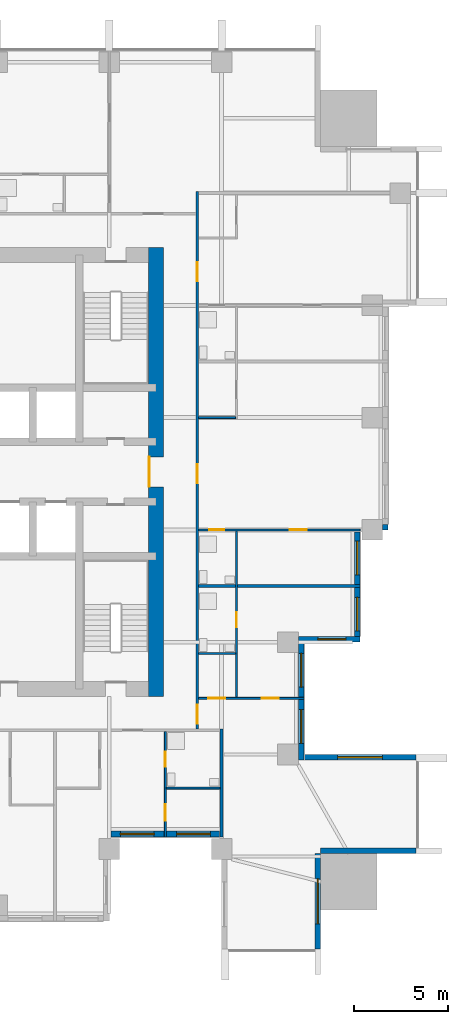
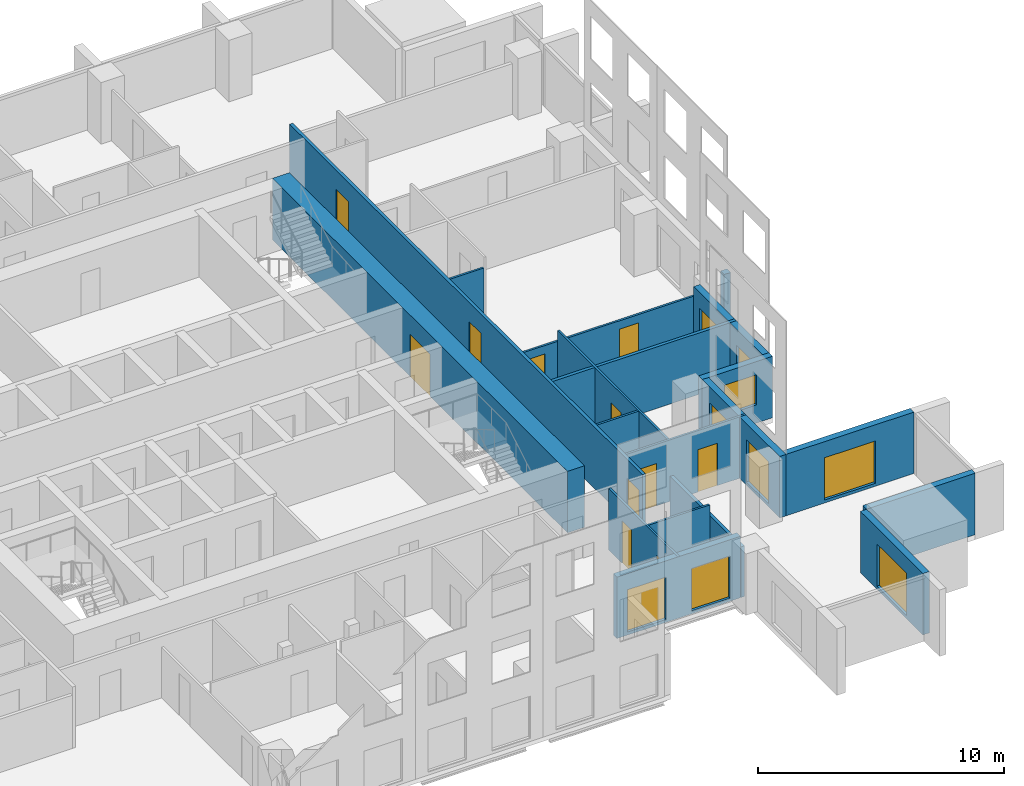
# One storey, part 6 of 11: 19 walls, 11 doors, 9 windows, 20 openings.
"""IFC4 building model written with IfcOpenShell, lengths in metres."""

from ifc_helpers import new_model, si_unit, direction, frame, frame_2d, origin, place, context, subcontext, project, spatial, rectangle, extrude, material, layer, layer_set, type_object, element, fill, save


model = new_model("IFC4")

# Units and contexts
model_context = context("Model", 3, precision=1e-05, world=origin(), true_north=direction((0.0, 1.0)))
body_context = subcontext(model_context, "Body", "Model", "MODEL_VIEW")
ifc_project = project(units=[si_unit("LENGTHUNIT", "METRE"), si_unit("AREAUNIT", "SQUARE_METRE"), si_unit("VOLUMEUNIT", "CUBIC_METRE"), si_unit("PLANEANGLEUNIT", "RADIAN"), si_unit("MASSUNIT", "GRAM", prefix="KILO")], contexts=[model_context])

# Site, building, storey
site_placement = place(None, origin())
site = spatial("IfcSite", under=ifc_project, at=site_placement, CompositionType="ELEMENT")
building_placement = place(site_placement, origin())
building = spatial("IfcBuilding", under=site, at=building_placement, Name="Amberfall Residences", CompositionType="ELEMENT")
storey_placement = place(building_placement, frame((0.0, 0.0, 98.5)))
storey = spatial("IfcBuildingStorey", under=building, at=storey_placement, Name="L26", CompositionType="ELEMENT", Elevation=98.5)

# Wall, opening, window
ifc_material_1 = material(Name="Pale stone cladding on insulated backing", Category="masonry")
ifc_layer_1 = layer(ifc_material_1, 0.300048828125)
ifc_layer_set_1 = layer_set([ifc_layer_1], Name="Bronze clad wall 300")
wall_type_1 = type_object("IfcWallType", Name="Bronze clad wall 300", PredefinedType="SOLIDWALL", material=ifc_layer_set_1)
wall_1_placement = place(storey_placement, frame((94.75, 20.0, 0.0), z_axis=(0.0, 0.0, 1.0), x_axis=(0.0, 1.0, 0.0)))
wall_1 = element("IfcWall", 1, at=wall_1_placement, inside=storey, type_object=wall_type_1, Name="External wall L26 SE", PredefinedType="SOLIDWALL", context=body_context, shape_type="SweptSolid", body=[
    extrude(rectangle(XDim=5.10009765625, YDim=0.300048828125, at=frame_2d((2.550048828125, 0.0))), origin(), (0.0, 0.0, 1.0), 3.050048828125),
])
opening_1_placement = place(wall_1_placement, frame((1.35009765625, 0.0, 0.14990234375)))
opening_1 = element("IfcOpeningElement", 2, at=opening_1_placement, cuts=wall_1, Name="Opening WN5", PredefinedType="OPENING", context=body_context, shape_type="SweptSolid", body=[
    extrude(rectangle(XDim=2.39990234375, YDim=2.10009765625, at=frame_2d((1.199951171875, 1.050048828125))), frame((0.0, 0.159912109375, 0.0), z_axis=(0.0, -1.0, 0.0), x_axis=(1.0, 0.0, 0.0)), (0.0, 0.0, 1.0), 0.320068359375),
])
ifc_material_2 = material(Name="Bronze aluminium framed glazing", Category="aluminium")
window_type_1 = type_object("IfcWindowType", Name="Glazed opening 2400 x 2100 bronze", PartitioningType="DOUBLE_PANEL_VERTICAL", PredefinedType="WINDOW", material=ifc_material_2)
window_1_placement = place(opening_1_placement, origin())
window_1 = element("IfcWindow", 3, at=window_1_placement, inside=storey, type_object=window_type_1, Name="Window L26 SE", OverallHeight=2.10009765625, OverallWidth=2.39990234375, PartitioningType="DOUBLE_PANEL_VERTICAL", PredefinedType="WINDOW", context=body_context, shape_type="SweptSolid", body=[
    extrude(rectangle(XDim=2.39990234375, YDim=2.10009765625, at=frame_2d((1.199951171875, 1.050048828125))), frame((0.0, 0.030029296875, 0.0), z_axis=(0.0, -1.0, 0.0), x_axis=(1.0, 0.0, 0.0)), (0.0, 0.0, 1.0), 0.06005859375),
])
fill(opening_1, window_1)

# Wall
wall_2_placement = place(storey_placement, frame((94.89990234375, 25.25, 0.0), z_axis=(0.0, 0.0, 1.0), x_axis=(1.0, 0.0, 0.0)))
element("IfcWall", 4, at=wall_2_placement, inside=storey, type_object=wall_type_1, Name="External wall L26 SE", PredefinedType="SOLIDWALL", context=body_context, shape_type="SweptSolid", body=[
    extrude(rectangle(XDim=5.10009765625, YDim=0.300048828125, at=frame_2d((2.550048828125, 0.0))), origin(), (0.0, 0.0, 1.0), 3.050048828125),
])

# Wall, opening, window
wall_3_placement = place(storey_placement, frame((100.0, 30.25, 0.0), z_axis=(0.0, 0.0, 1.0), x_axis=(-1.0, 0.0, 0.0)))
wall_3 = element("IfcWall", 5, at=wall_3_placement, inside=storey, type_object=wall_type_1, Name="External wall L26 E", PredefinedType="SOLIDWALL", context=body_context, shape_type="SweptSolid", body=[
    extrude(rectangle(XDim=6.0, YDim=0.300048828125, at=frame_2d((3.0, 0.0))), origin(), (0.0, 0.0, 1.0), 3.050048828125),
])
opening_2_placement = place(wall_3_placement, frame((1.800048828125, 0.0, 0.14990234375)))
opening_2 = element("IfcOpeningElement", 6, at=opening_2_placement, cuts=wall_3, Name="Opening WN5", PredefinedType="OPENING", context=body_context, shape_type="SweptSolid", body=[
    extrude(rectangle(XDim=2.39990234375, YDim=2.10009765625, at=frame_2d((1.199951171875, 1.050048828125))), frame((0.0, 0.159912109375, 0.0), z_axis=(0.0, -1.0, 0.0), x_axis=(1.0, 0.0, 0.0)), (0.0, 0.0, 1.0), 0.320068359375),
])
window_2_placement = place(opening_2_placement, origin())
window_2 = element("IfcWindow", 7, at=window_2_placement, inside=storey, type_object=window_type_1, Name="Window L26 E", OverallHeight=2.10009765625, OverallWidth=2.39990234375, PartitioningType="DOUBLE_PANEL_VERTICAL", PredefinedType="WINDOW", context=body_context, shape_type="SweptSolid", body=[
    extrude(rectangle(XDim=2.39990234375, YDim=2.10009765625, at=frame_2d((1.199951171875, 1.050048828125))), frame((0.0, 0.030029296875, 0.0), z_axis=(0.0, -1.0, 0.0), x_axis=(1.0, 0.0, 0.0)), (0.0, 0.0, 1.0), 0.06005859375),
])
fill(opening_2, window_2)

wall_4_placement = place(storey_placement, frame((93.699951171875, 36.550048828125, 0.0), z_axis=(0.0, 0.0, 1.0), x_axis=(1.0, 0.0, 0.0)))
wall_4 = element("IfcWall", 8, at=wall_4_placement, inside=storey, type_object=wall_type_1, Name="External wall L26 E", PredefinedType="SOLIDWALL", context=body_context, shape_type="SweptSolid", body=[
    extrude(rectangle(XDim=3.300048828125, YDim=0.300048828125, at=frame_2d((1.64990234375, 0.0))), origin(), (0.0, 0.0, 1.0), 3.050048828125),
])
opening_3_placement = place(wall_4_placement, frame((1.050048828125, 0.0, 0.89990234375)))
opening_3 = element("IfcOpeningElement", 9, at=opening_3_placement, cuts=wall_4, Name="Opening WN1", PredefinedType="OPENING", context=body_context, shape_type="SweptSolid", body=[
    extrude(rectangle(XDim=1.5, YDim=1.5, at=frame_2d((0.75, 0.75))), frame((0.0, 0.159912109375, 0.0), z_axis=(0.0, -1.0, 0.0), x_axis=(1.0, 0.0, 0.0)), (0.0, 0.0, 1.0), 0.320068359375),
])
window_type_2 = type_object("IfcWindowType", Name="Window 1500 x 1500 bronze", PartitioningType="DOUBLE_PANEL_VERTICAL", PredefinedType="WINDOW", material=ifc_material_2)
window_3_placement = place(opening_3_placement, origin())
window_3 = element("IfcWindow", 10, at=window_3_placement, inside=storey, type_object=window_type_2, Name="Window L26 E", OverallHeight=1.5, OverallWidth=1.5, PartitioningType="DOUBLE_PANEL_VERTICAL", PredefinedType="WINDOW", context=body_context, shape_type="SweptSolid", body=[
    extrude(rectangle(XDim=1.5, YDim=1.5, at=frame_2d((0.75, 0.75))), frame((0.0, 0.030029296875, 0.0), z_axis=(0.0, -1.0, 0.0), x_axis=(1.0, 0.0, 0.0)), (0.0, 0.0, 1.0), 0.06005859375),
])
fill(opening_3, window_3)

# Wall
wall_5_placement = place(storey_placement, frame((98.199951171875, 42.550048828125, 0.0), z_axis=(0.0, 0.0, 1.0), x_axis=(1.0, 0.0, 0.0)))
element("IfcWall", 11, at=wall_5_placement, inside=storey, type_object=wall_type_1, Name="External wall L26 E", PredefinedType="SOLIDWALL", context=body_context, shape_type="SweptSolid", body=[
    extrude(rectangle(XDim=0.300048828125, YDim=0.300048828125, at=frame_2d((0.14990234375, 0.0))), origin(), (0.0, 0.0, 1.0), 3.050048828125),
])

# Wall, openings, windows
wall_6_placement = place(storey_placement, frame((83.699951171875, 26.14990234375, 0.0), z_axis=(0.0, 0.0, 1.0), x_axis=(1.0, 0.0, 0.0)))
wall_6 = element("IfcWall", 12, at=wall_6_placement, inside=storey, type_object=wall_type_1, Name="Stone wall L26 S", PredefinedType="SOLIDWALL", context=body_context, shape_type="SweptSolid", body=[
    extrude(rectangle(XDim=5.7900390625, YDim=0.300048828125, at=frame_2d((2.89501953125, 0.0))), origin(), (0.0, 0.0, 1.0), 3.050048828125),
])
opening_4_placement = place(wall_6_placement, frame((0.5, 0.0, 0.14990234375)))
opening_4 = element("IfcOpeningElement", 13, at=opening_4_placement, cuts=wall_6, Name="Opening WN6", PredefinedType="OPENING", context=body_context, shape_type="SweptSolid", body=[
    extrude(rectangle(XDim=1.800048828125, YDim=2.10009765625, at=frame_2d((0.89990234375, 1.050048828125))), frame((0.0, 0.159912109375, 0.0), z_axis=(0.0, -1.0, 0.0), x_axis=(1.0, 0.0, 0.0)), (0.0, 0.0, 1.0), 0.320068359375),
])
opening_5_placement = place(wall_6_placement, frame((3.5, 0.0, 0.14990234375)))
opening_5 = element("IfcOpeningElement", 14, at=opening_5_placement, cuts=wall_6, Name="Opening WN6", PredefinedType="OPENING", context=body_context, shape_type="SweptSolid", body=[
    extrude(rectangle(XDim=1.800048828125, YDim=2.10009765625, at=frame_2d((0.89990234375, 1.050048828125))), frame((0.0, 0.159912109375, 0.0), z_axis=(0.0, -1.0, 0.0), x_axis=(1.0, 0.0, 0.0)), (0.0, 0.0, 1.0), 0.320068359375),
])
window_type_3 = type_object("IfcWindowType", Name="Glazed opening 1800 x 2100 bronze", PartitioningType="DOUBLE_PANEL_VERTICAL", PredefinedType="WINDOW", material=ifc_material_2)
window_4_placement = place(opening_4_placement, origin())
window_4 = element("IfcWindow", 15, at=window_4_placement, inside=storey, type_object=window_type_3, Name="Window L26 S", OverallHeight=2.10009765625, OverallWidth=1.800048828125, PartitioningType="DOUBLE_PANEL_VERTICAL", PredefinedType="WINDOW", context=body_context, shape_type="SweptSolid", body=[
    extrude(rectangle(XDim=1.800048828125, YDim=2.10009765625, at=frame_2d((0.89990234375, 1.050048828125))), frame((0.0, 0.030029296875, 0.0), z_axis=(0.0, -1.0, 0.0), x_axis=(1.0, 0.0, 0.0)), (0.0, 0.0, 1.0), 0.06005859375),
])
fill(opening_4, window_4)
window_5_placement = place(opening_5_placement, origin())
window_5 = element("IfcWindow", 16, at=window_5_placement, inside=storey, type_object=window_type_3, Name="Window L26 S", OverallHeight=2.10009765625, OverallWidth=1.800048828125, PartitioningType="DOUBLE_PANEL_VERTICAL", PredefinedType="WINDOW", context=body_context, shape_type="SweptSolid", body=[
    extrude(rectangle(XDim=1.800048828125, YDim=2.10009765625, at=frame_2d((0.89990234375, 1.050048828125))), frame((0.0, 0.030029296875, 0.0), z_axis=(0.0, -1.0, 0.0), x_axis=(1.0, 0.0, 0.0)), (0.0, 0.0, 1.0), 0.06005859375),
])
fill(opening_5, window_5)

wall_7_placement = place(storey_placement, frame((93.85009765625, 30.10009765625, 0.0), z_axis=(0.0, 0.0, 1.0), x_axis=(0.0, 1.0, 0.0)))
wall_7 = element("IfcWall", 17, at=wall_7_placement, inside=storey, type_object=wall_type_1, Name="Stone wall L26 E", PredefinedType="SOLIDWALL", context=body_context, shape_type="SweptSolid", body=[
    extrude(rectangle(XDim=6.2998046875, YDim=0.300048828125, at=frame_2d((3.14990234375, 0.0))), origin(), (0.0, 0.0, 1.0), 3.050048828125),
])
opening_6_placement = place(wall_7_placement, frame((0.89990234375, 0.0, 0.14990234375)))
opening_6 = element("IfcOpeningElement", 18, at=opening_6_placement, cuts=wall_7, Name="Opening WN6", PredefinedType="OPENING", context=body_context, shape_type="SweptSolid", body=[
    extrude(rectangle(XDim=1.800048828125, YDim=2.10009765625, at=frame_2d((0.89990234375, 1.050048828125))), frame((0.0, 0.159912109375, 0.0), z_axis=(0.0, -1.0, 0.0), x_axis=(1.0, 0.0, 0.0)), (0.0, 0.0, 1.0), 0.320068359375),
])
opening_7_placement = place(wall_7_placement, frame((3.89990234375, 0.0, 0.14990234375)))
opening_7 = element("IfcOpeningElement", 19, at=opening_7_placement, cuts=wall_7, Name="Opening WN6", PredefinedType="OPENING", context=body_context, shape_type="SweptSolid", body=[
    extrude(rectangle(XDim=1.800048828125, YDim=2.10009765625, at=frame_2d((0.89990234375, 1.050048828125))), frame((0.0, 0.159912109375, 0.0), z_axis=(0.0, -1.0, 0.0), x_axis=(1.0, 0.0, 0.0)), (0.0, 0.0, 1.0), 0.320068359375),
])
window_6_placement = place(opening_6_placement, origin())
window_6 = element("IfcWindow", 20, at=window_6_placement, inside=storey, type_object=window_type_3, Name="Window L26 E", OverallHeight=2.10009765625, OverallWidth=1.800048828125, PartitioningType="DOUBLE_PANEL_VERTICAL", PredefinedType="WINDOW", context=body_context, shape_type="SweptSolid", body=[
    extrude(rectangle(XDim=1.800048828125, YDim=2.10009765625, at=frame_2d((0.89990234375, 1.050048828125))), frame((0.0, 0.030029296875, 0.0), z_axis=(0.0, -1.0, 0.0), x_axis=(1.0, 0.0, 0.0)), (0.0, 0.0, 1.0), 0.06005859375),
])
fill(opening_6, window_6)
window_7_placement = place(opening_7_placement, origin())
window_7 = element("IfcWindow", 21, at=window_7_placement, inside=storey, type_object=window_type_3, Name="Window L26 E", OverallHeight=2.10009765625, OverallWidth=1.800048828125, PartitioningType="DOUBLE_PANEL_VERTICAL", PredefinedType="WINDOW", context=body_context, shape_type="SweptSolid", body=[
    extrude(rectangle(XDim=1.800048828125, YDim=2.10009765625, at=frame_2d((0.89990234375, 1.050048828125))), frame((0.0, 0.030029296875, 0.0), z_axis=(0.0, -1.0, 0.0), x_axis=(1.0, 0.0, 0.0)), (0.0, 0.0, 1.0), 0.06005859375),
])
fill(opening_7, window_7)

wall_8_placement = place(storey_placement, frame((96.85009765625, 36.699951171875, 0.0), z_axis=(0.0, 0.0, 1.0), x_axis=(0.0, 1.0, 0.0)))
wall_8 = element("IfcWall", 22, at=wall_8_placement, inside=storey, type_object=wall_type_1, Name="Stone wall L26 E", PredefinedType="SOLIDWALL", context=body_context, shape_type="SweptSolid", body=[
    extrude(rectangle(XDim=5.590087890625, YDim=0.300048828125, at=frame_2d((2.794921875, 0.0))), origin(), (0.0, 0.0, 1.0), 3.050048828125),
])
opening_8_placement = place(wall_8_placement, frame((0.300048828125, 0.0, 0.14990234375)))
opening_8 = element("IfcOpeningElement", 23, at=opening_8_placement, cuts=wall_8, Name="Opening WN6", PredefinedType="OPENING", context=body_context, shape_type="SweptSolid", body=[
    extrude(rectangle(XDim=1.800048828125, YDim=2.10009765625, at=frame_2d((0.89990234375, 1.050048828125))), frame((0.0, 0.159912109375, 0.0), z_axis=(0.0, -1.0, 0.0), x_axis=(1.0, 0.0, 0.0)), (0.0, 0.0, 1.0), 0.320068359375),
])
opening_9_placement = place(wall_8_placement, frame((3.300048828125, 0.0, 0.14990234375)))
opening_9 = element("IfcOpeningElement", 24, at=opening_9_placement, cuts=wall_8, Name="Opening WN6", PredefinedType="OPENING", context=body_context, shape_type="SweptSolid", body=[
    extrude(rectangle(XDim=1.800048828125, YDim=2.10009765625, at=frame_2d((0.89990234375, 1.050048828125))), frame((0.0, 0.159912109375, 0.0), z_axis=(0.0, -1.0, 0.0), x_axis=(1.0, 0.0, 0.0)), (0.0, 0.0, 1.0), 0.320068359375),
])
window_8_placement = place(opening_8_placement, origin())
window_8 = element("IfcWindow", 25, at=window_8_placement, inside=storey, type_object=window_type_3, Name="Window L26 E", OverallHeight=2.10009765625, OverallWidth=1.800048828125, PartitioningType="DOUBLE_PANEL_VERTICAL", PredefinedType="WINDOW", context=body_context, shape_type="SweptSolid", body=[
    extrude(rectangle(XDim=1.800048828125, YDim=2.10009765625, at=frame_2d((0.89990234375, 1.050048828125))), frame((0.0, 0.030029296875, 0.0), z_axis=(0.0, -1.0, 0.0), x_axis=(1.0, 0.0, 0.0)), (0.0, 0.0, 1.0), 0.06005859375),
])
fill(opening_8, window_8)
window_9_placement = place(opening_9_placement, origin())
window_9 = element("IfcWindow", 26, at=window_9_placement, inside=storey, type_object=window_type_3, Name="Window L26 E", OverallHeight=2.10009765625, OverallWidth=1.800048828125, PartitioningType="DOUBLE_PANEL_VERTICAL", PredefinedType="WINDOW", context=body_context, shape_type="SweptSolid", body=[
    extrude(rectangle(XDim=1.800048828125, YDim=2.10009765625, at=frame_2d((0.89990234375, 1.050048828125))), frame((0.0, 0.030029296875, 0.0), z_axis=(0.0, -1.0, 0.0), x_axis=(1.0, 0.0, 0.0)), (0.0, 0.0, 1.0), 0.06005859375),
])
fill(opening_9, window_9)

# Wall, opening, door
ifc_material_3 = material(Name="Concrete C70", Category="concrete")
ifc_layer_2 = layer(ifc_material_3, 0.800048828125)
ifc_layer_set_2 = layer_set([ifc_layer_2], Name="Core wall 800 C70")
wall_type_2 = type_object("IfcWallType", Name="Core wall 800 C70", PredefinedType="SHEAR", material=ifc_layer_set_2)
wall_9_placement = place(storey_placement, frame((86.10009765625, 33.5, 0.0), z_axis=(0.0, 0.0, 1.0), x_axis=(0.0, 1.0, 0.0)))
wall_9 = element("IfcWall", 27, at=wall_9_placement, inside=storey, type_object=wall_type_2, Name="Core wall RW3 L26 OE", PredefinedType="SHEAR", context=body_context, shape_type="SweptSolid", body=[
    extrude(rectangle(XDim=24.0, YDim=0.800048828125, at=frame_2d((12.0, 0.0))), origin(), (0.0, 0.0, 1.0), 3.050048828125),
])
opening_10_placement = place(wall_9_placement, frame((11.199951171875, 0.0, 0.0)))
opening_10 = element("IfcOpeningElement", 28, at=opening_10_placement, cuts=wall_9, Name="Opening LB1", PredefinedType="OPENING", context=body_context, shape_type="SweptSolid", body=[
    extrude(rectangle(XDim=1.60009765625, YDim=2.10009765625, at=frame_2d((0.800048828125, 1.050048828125))), frame((0.0, 0.409912109375, 0.0), z_axis=(0.0, -1.0, 0.0), x_axis=(1.0, 0.0, 0.0)), (0.0, 0.0, 1.0), 0.820068359375),
])
ifc_material_4 = material(Name="Steel fire door set", Category="steel")
door_type_1 = type_object("IfcDoorType", Name="Lift lobby double door 1600 x 2100", OperationType="DOUBLE_DOOR_SINGLE_SWING", PredefinedType="DOOR", material=ifc_material_4)
door_1_placement = place(opening_10_placement, origin())
door_1 = element("IfcDoor", 29, at=door_1_placement, inside=storey, type_object=door_type_1, Name="LB1 L26", OperationType="DOUBLE_DOOR_SINGLE_SWING", OverallHeight=2.10009765625, OverallWidth=1.60009765625, PredefinedType="DOOR", context=body_context, shape_type="SweptSolid", body=[
    extrude(rectangle(XDim=1.60009765625, YDim=2.10009765625, at=frame_2d((0.800048828125, 1.050048828125))), frame((0.0, 0.3876953125, 0.0), z_axis=(0.0, -1.0, 0.0), x_axis=(1.0, 0.0, 0.0)), (0.0, 0.0, 1.0), 0.050048828125),
])
fill(opening_10, door_1)

# Wall, openings, doors
ifc_material_5 = material(Name="Gypsum board on metal stud")
ifc_layer_3 = layer(ifc_material_5, 0.10009765625)
ifc_layer_set_3 = layer_set([ifc_layer_3], Name="Flat partition 100")
wall_type_3 = type_object("IfcWallType", Name="Flat partition 100", PredefinedType="PARTITIONING", material=ifc_layer_set_3)
wall_10_placement = place(storey_placement, frame((86.60009765625, 31.625, 0.0), z_axis=(0.0, 0.0, 1.0), x_axis=(0.0, -1.0, 0.0)))
wall_10 = element("IfcWall", 30, at=wall_10_placement, inside=storey, type_object=wall_type_3, Name="Partition 018", PredefinedType="PARTITIONING", context=body_context, shape_type="SweptSolid", body=[
    extrude(rectangle(XDim=5.625, YDim=0.10009765625, at=frame_2d((2.8125, 0.0))), origin(), (0.0, 0.0, 1.0), 3.050048828125),
])
opening_11_placement = place(wall_10_placement, frame((3.875, 0.0, 0.0)))
opening_11 = element("IfcOpeningElement", 31, at=opening_11_placement, cuts=wall_10, Name="Opening D41", PredefinedType="OPENING", context=body_context, shape_type="SweptSolid", body=[
    extrude(rectangle(XDim=0.89990234375, YDim=2.10009765625, at=frame_2d((0.449951171875, 1.050048828125))), frame((0.0, 0.06005859375, 0.0), z_axis=(0.0, -1.0, 0.0), x_axis=(1.0, 0.0, 0.0)), (0.0, 0.0, 1.0), 0.1201171875),
])
opening_12_placement = place(wall_10_placement, frame((1.074951171875, 0.0, 0.0)))
opening_12 = element("IfcOpeningElement", 32, at=opening_12_placement, cuts=wall_10, Name="Opening D42", PredefinedType="OPENING", context=body_context, shape_type="SweptSolid", body=[
    extrude(rectangle(XDim=0.800048828125, YDim=2.10009765625, at=frame_2d((0.39990234375, 1.050048828125))), frame((0.0, 0.06005859375, 0.0), z_axis=(0.0, -1.0, 0.0), x_axis=(1.0, 0.0, 0.0)), (0.0, 0.0, 1.0), 0.1201171875),
])
ifc_material_6 = material(Name="Timber", Category="wood")
door_type_2 = type_object("IfcDoorType", Name="Bathroom door 800 x 2100", OperationType="SINGLE_SWING_LEFT", PredefinedType="DOOR", material=ifc_material_6)
door_2_placement = place(opening_12_placement, origin())
door_2 = element("IfcDoor", 33, at=door_2_placement, inside=storey, type_object=door_type_2, Name="Door 2603 bath1", OperationType="SINGLE_SWING_LEFT", OverallHeight=2.10009765625, OverallWidth=0.800048828125, PredefinedType="DOOR", context=body_context, shape_type="SweptSolid", body=[
    extrude(rectangle(XDim=0.800048828125, YDim=2.10009765625, at=frame_2d((0.39990234375, 1.050048828125))), frame((0.0, 0.02490234375, 0.0), z_axis=(0.0, -1.0, 0.0), x_axis=(1.0, 0.0, 0.0)), (0.0, 0.0, 1.0), 0.050048828125),
])
fill(opening_12, door_2)
door_type_3 = type_object("IfcDoorType", Name="Internal door 900 x 2100", OperationType="SINGLE_SWING_LEFT", PredefinedType="DOOR", material=ifc_material_6)
door_3_placement = place(opening_11_placement, origin())
door_3 = element("IfcDoor", 34, at=door_3_placement, inside=storey, type_object=door_type_3, Name="Door 2603 bedroom1", OperationType="SINGLE_SWING_LEFT", OverallHeight=2.10009765625, OverallWidth=0.89990234375, PredefinedType="DOOR", context=body_context, shape_type="SweptSolid", body=[
    extrude(rectangle(XDim=0.89990234375, YDim=2.10009765625, at=frame_2d((0.449951171875, 1.050048828125))), frame((0.0, 0.02490234375, 0.0), z_axis=(0.0, -1.0, 0.0), x_axis=(1.0, 0.0, 0.0)), (0.0, 0.0, 1.0), 0.050048828125),
])
fill(opening_11, door_3)

# Wall, opening, door
wall_11_placement = place(storey_placement, frame((90.39990234375, 33.449951171875, 0.0), z_axis=(0.0, 0.0, 1.0), x_axis=(0.0, 1.0, 0.0)))
wall_11 = element("IfcWall", 35, at=wall_11_placement, inside=storey, type_object=wall_type_3, Name="Partition 019", PredefinedType="PARTITIONING", context=body_context, shape_type="SweptSolid", body=[
    extrude(rectangle(XDim=8.900146484375, YDim=0.10009765625, at=frame_2d((4.4501953125, 0.0))), origin(), (0.0, 0.0, 1.0), 3.050048828125),
])
opening_13_placement = place(wall_11_placement, frame((3.75, 0.0, 0.0)))
opening_13 = element("IfcOpeningElement", 36, at=opening_13_placement, cuts=wall_11, Name="Opening D42", PredefinedType="OPENING", context=body_context, shape_type="SweptSolid", body=[
    extrude(rectangle(XDim=0.800048828125, YDim=2.10009765625, at=frame_2d((0.39990234375, 1.050048828125))), frame((0.0, 0.06005859375, 0.0), z_axis=(0.0, -1.0, 0.0), x_axis=(1.0, 0.0, 0.0)), (0.0, 0.0, 1.0), 0.1201171875),
])
door_4_placement = place(opening_13_placement, origin())
door_4 = element("IfcDoor", 37, at=door_4_placement, inside=storey, type_object=door_type_2, Name="Door 2604 bath1", OperationType="SINGLE_SWING_LEFT", OverallHeight=2.10009765625, OverallWidth=0.800048828125, PredefinedType="DOOR", context=body_context, shape_type="SweptSolid", body=[
    extrude(rectangle(XDim=0.800048828125, YDim=2.10009765625, at=frame_2d((0.39990234375, 1.050048828125))), frame((0.0, 0.02490234375, 0.0), z_axis=(0.0, -1.0, 0.0), x_axis=(1.0, 0.0, 0.0)), (0.0, 0.0, 1.0), 0.050048828125),
])
fill(opening_13, door_4)

# Wall
wall_12_placement = place(storey_placement, frame((88.375, 48.39990234375, 0.0), z_axis=(0.0, 0.0, 1.0), x_axis=(1.0, 0.0, 0.0)))
element("IfcWall", 38, at=wall_12_placement, inside=storey, type_object=wall_type_3, Name="Partition 031", PredefinedType="PARTITIONING", context=body_context, shape_type="SweptSolid", body=[
    extrude(rectangle(XDim=1.97509765625, YDim=0.10009765625, at=frame_2d((0.987548828125, 0.0))), origin(), (0.0, 0.0, 1.0), 2.51611328125),
])

# Wall, openings, doors
wall_13_placement = place(storey_placement, frame((97.0, 42.39990234375, 0.0), z_axis=(0.0, 0.0, 1.0), x_axis=(-1.0, 0.0, 0.0)))
wall_13 = element("IfcWall", 39, at=wall_13_placement, inside=storey, type_object=wall_type_3, Name="Partition 034", PredefinedType="PARTITIONING", context=body_context, shape_type="SweptSolid", body=[
    extrude(rectangle(XDim=8.625, YDim=0.10009765625, at=frame_2d((4.3125, 0.0))), origin(), (0.0, 0.0, 1.0), 2.51611328125),
])
opening_14_placement = place(wall_13_placement, frame((2.85009765625, 0.0, 0.0)))
opening_14 = element("IfcOpeningElement", 40, at=opening_14_placement, cuts=wall_13, Name="Opening D41", PredefinedType="OPENING", context=body_context, shape_type="SweptSolid", body=[
    extrude(rectangle(XDim=0.89990234375, YDim=2.10009765625, at=frame_2d((0.449951171875, 1.050048828125))), frame((0.0, 0.06005859375, 0.0), z_axis=(0.0, -1.0, 0.0), x_axis=(1.0, 0.0, 0.0)), (0.0, 0.0, 1.0), 0.1201171875),
])
opening_15_placement = place(wall_13_placement, frame((7.25, 0.0, 0.0)))
opening_15 = element("IfcOpeningElement", 41, at=opening_15_placement, cuts=wall_13, Name="Opening D42", PredefinedType="OPENING", context=body_context, shape_type="SweptSolid", body=[
    extrude(rectangle(XDim=0.800048828125, YDim=2.10009765625, at=frame_2d((0.39990234375, 1.050048828125))), frame((0.0, 0.06005859375, 0.0), z_axis=(0.0, -1.0, 0.0), x_axis=(1.0, 0.0, 0.0)), (0.0, 0.0, 1.0), 0.1201171875),
])
door_5_placement = place(opening_15_placement, origin())
door_5 = element("IfcDoor", 42, at=door_5_placement, inside=storey, type_object=door_type_2, Name="Door 2605 bath1", OperationType="SINGLE_SWING_LEFT", OverallHeight=2.10009765625, OverallWidth=0.800048828125, PredefinedType="DOOR", context=body_context, shape_type="SweptSolid", body=[
    extrude(rectangle(XDim=0.800048828125, YDim=2.10009765625, at=frame_2d((0.39990234375, 1.050048828125))), frame((0.0, 0.02490234375, 0.0), z_axis=(0.0, -1.0, 0.0), x_axis=(1.0, 0.0, 0.0)), (0.0, 0.0, 1.0), 0.050048828125),
])
fill(opening_15, door_5)
door_6_placement = place(opening_14_placement, origin())
door_6 = element("IfcDoor", 43, at=door_6_placement, inside=storey, type_object=door_type_3, Name="Door 2605 bedroom1", OperationType="SINGLE_SWING_LEFT", OverallHeight=2.10009765625, OverallWidth=0.89990234375, PredefinedType="DOOR", context=body_context, shape_type="SweptSolid", body=[
    extrude(rectangle(XDim=0.89990234375, YDim=2.10009765625, at=frame_2d((0.449951171875, 1.050048828125))), frame((0.0, 0.02490234375, 0.0), z_axis=(0.0, -1.0, 0.0), x_axis=(1.0, 0.0, 0.0)), (0.0, 0.0, 1.0), 0.050048828125),
])
fill(opening_14, door_6)

# Wall
wall_14_placement = place(storey_placement, frame((88.375, 35.800048828125, 0.0), z_axis=(0.0, 0.0, 1.0), x_axis=(1.0, 0.0, 0.0)))
element("IfcWall", 44, at=wall_14_placement, inside=storey, type_object=wall_type_3, Name="Partition 037", PredefinedType="PARTITIONING", context=body_context, shape_type="SweptSolid", body=[
    extrude(rectangle(XDim=1.97509765625, YDim=0.10009765625, at=frame_2d((0.987548828125, 0.0))), origin(), (0.0, 0.0, 1.0), 3.050048828125),
])

# Wall, openings, doors
wall_15_placement = place(storey_placement, frame((88.375, 33.39990234375, 0.0), z_axis=(0.0, 0.0, 1.0), x_axis=(1.0, 0.0, 0.0)))
wall_15 = element("IfcWall", 45, at=wall_15_placement, inside=storey, type_object=wall_type_3, Name="Partition 039", PredefinedType="PARTITIONING", context=body_context, shape_type="SweptSolid", body=[
    extrude(rectangle(XDim=5.625, YDim=0.10009765625, at=frame_2d((2.8125, 0.0))), origin(), (0.0, 0.0, 1.0), 3.050048828125),
])
opening_16_placement = place(wall_15_placement, frame((0.52490234375, 0.0, 0.0)))
opening_16 = element("IfcOpeningElement", 46, at=opening_16_placement, cuts=wall_15, Name="Opening D41", PredefinedType="OPENING", context=body_context, shape_type="SweptSolid", body=[
    extrude(rectangle(XDim=0.89990234375, YDim=2.10009765625, at=frame_2d((0.449951171875, 1.050048828125))), frame((0.0, 0.06005859375, 0.0), z_axis=(0.0, -1.0, 0.0), x_axis=(1.0, 0.0, 0.0)), (0.0, 0.0, 1.0), 0.1201171875),
])
opening_17_placement = place(wall_15_placement, frame((3.375, 0.0, 0.0)))
opening_17 = element("IfcOpeningElement", 47, at=opening_17_placement, cuts=wall_15, Name="Opening D41", PredefinedType="OPENING", context=body_context, shape_type="SweptSolid", body=[
    extrude(rectangle(XDim=0.89990234375, YDim=2.10009765625, at=frame_2d((0.449951171875, 1.050048828125))), frame((0.0, 0.06005859375, 0.0), z_axis=(0.0, -1.0, 0.0), x_axis=(1.0, 0.0, 0.0)), (0.0, 0.0, 1.0), 0.1201171875),
])
door_7_placement = place(opening_16_placement, origin())
door_7 = element("IfcDoor", 48, at=door_7_placement, inside=storey, type_object=door_type_3, Name="Door 2604 kitchen", OperationType="SINGLE_SWING_LEFT", OverallHeight=2.10009765625, OverallWidth=0.89990234375, PredefinedType="DOOR", context=body_context, shape_type="SweptSolid", body=[
    extrude(rectangle(XDim=0.89990234375, YDim=2.10009765625, at=frame_2d((0.449951171875, 1.050048828125))), frame((0.0, 0.02490234375, 0.0), z_axis=(0.0, -1.0, 0.0), x_axis=(1.0, 0.0, 0.0)), (0.0, 0.0, 1.0), 0.050048828125),
])
fill(opening_16, door_7)
door_8_placement = place(opening_17_placement, origin())
door_8 = element("IfcDoor", 49, at=door_8_placement, inside=storey, type_object=door_type_3, Name="Door 2604 bedroom1", OperationType="SINGLE_SWING_LEFT", OverallHeight=2.10009765625, OverallWidth=0.89990234375, PredefinedType="DOOR", context=body_context, shape_type="SweptSolid", body=[
    extrude(rectangle(XDim=0.89990234375, YDim=2.10009765625, at=frame_2d((0.449951171875, 1.050048828125))), frame((0.0, 0.02490234375, 0.0), z_axis=(0.0, -1.0, 0.0), x_axis=(1.0, 0.0, 0.0)), (0.0, 0.0, 1.0), 0.050048828125),
])
fill(opening_17, door_8)

# Wall
wall_16_placement = place(storey_placement, frame((86.64990234375, 28.60009765625, 0.0), z_axis=(0.0, 0.0, 1.0), x_axis=(1.0, 0.0, 0.0)))
element("IfcWall", 50, at=wall_16_placement, inside=storey, type_object=wall_type_3, Name="Partition 042", PredefinedType="PARTITIONING", context=body_context, shape_type="SweptSolid", body=[
    extrude(rectangle(XDim=2.875, YDim=0.10009765625, at=frame_2d((1.4375, 0.0))), origin(), (0.0, 0.0, 1.0), 3.050048828125),
])

# Wall, openings, doors
ifc_material_7 = material(Name="Blockwork, plastered", Category="masonry")
ifc_layer_4 = layer(ifc_material_7, 0.14990234375)
ifc_layer_set_4 = layer_set([ifc_layer_4], Name="Flat separating wall 150")
wall_type_4 = type_object("IfcWallType", Name="Flat separating wall 150", PredefinedType="PARTITIONING", material=ifc_layer_set_4)
wall_17_placement = place(storey_placement, frame((88.300048828125, 60.47509765625, 0.0), z_axis=(0.0, 0.0, 1.0), x_axis=(0.0, -1.0, 0.0)))
wall_17 = element("IfcWall", 51, at=wall_17_placement, inside=storey, type_object=wall_type_4, Name="Separating wall 052", PredefinedType="PARTITIONING", context=body_context, shape_type="SweptSolid", body=[
    extrude(rectangle(XDim=28.7001953125, YDim=0.14990234375, at=frame_2d((14.35009765625, 0.0))), origin(), (0.0, 0.0, 1.0), 3.050048828125),
])
opening_18_placement = place(wall_17_placement, frame((27.425048828125, 0.0, 0.0)))
opening_18 = element("IfcOpeningElement", 52, at=opening_18_placement, cuts=wall_17, Name="Opening D40", PredefinedType="OPENING", context=body_context, shape_type="SweptSolid", body=[
    extrude(rectangle(XDim=1.0, YDim=2.10009765625, at=frame_2d((0.5, 1.050048828125))), frame((0.0, 0.0849609375, 0.0), z_axis=(0.0, -1.0, 0.0), x_axis=(1.0, 0.0, 0.0)), (0.0, 0.0, 1.0), 0.169921875),
])
opening_19_placement = place(wall_17_placement, frame((14.574951171875, 0.0, 0.0)))
opening_19 = element("IfcOpeningElement", 53, at=opening_19_placement, cuts=wall_17, Name="Opening D40", PredefinedType="OPENING", context=body_context, shape_type="SweptSolid", body=[
    extrude(rectangle(XDim=1.0, YDim=2.10009765625, at=frame_2d((0.5, 1.050048828125))), frame((0.0, 0.0849609375, 0.0), z_axis=(0.0, -1.0, 0.0), x_axis=(1.0, 0.0, 0.0)), (0.0, 0.0, 1.0), 0.169921875),
])
opening_20_placement = place(wall_17_placement, frame((3.77490234375, 0.0, 0.0)))
opening_20 = element("IfcOpeningElement", 54, at=opening_20_placement, cuts=wall_17, Name="Opening D40", PredefinedType="OPENING", context=body_context, shape_type="SweptSolid", body=[
    extrude(rectangle(XDim=1.0, YDim=2.10009765625, at=frame_2d((0.5, 1.050048828125))), frame((0.0, 0.0849609375, 0.0), z_axis=(0.0, -1.0, 0.0), x_axis=(1.0, 0.0, 0.0)), (0.0, 0.0, 1.0), 0.169921875),
])
ifc_material_8 = material(Name="Timber, fire-rated", Category="wood")
door_type_4 = type_object("IfcDoorType", Name="Flat entrance door FD60 1000 x 2100", OperationType="SINGLE_SWING_LEFT", PredefinedType="DOOR", material=ifc_material_8)
door_9_placement = place(opening_18_placement, origin())
door_9 = element("IfcDoor", 55, at=door_9_placement, inside=storey, type_object=door_type_4, Name="Door 2604 entrance", OperationType="SINGLE_SWING_LEFT", OverallHeight=2.10009765625, OverallWidth=1.0, PredefinedType="DOOR", context=body_context, shape_type="SweptSolid", body=[
    extrude(rectangle(XDim=1.0, YDim=2.10009765625, at=frame_2d((0.5, 1.050048828125))), frame((0.0, 0.02490234375, 0.0), z_axis=(0.0, -1.0, 0.0), x_axis=(1.0, 0.0, 0.0)), (0.0, 0.0, 1.0), 0.050048828125),
])
fill(opening_18, door_9)
door_10_placement = place(opening_19_placement, origin())
door_10 = element("IfcDoor", 56, at=door_10_placement, inside=storey, type_object=door_type_4, Name="Door 2605 entrance", OperationType="SINGLE_SWING_LEFT", OverallHeight=2.10009765625, OverallWidth=1.0, PredefinedType="DOOR", context=body_context, shape_type="SweptSolid", body=[
    extrude(rectangle(XDim=1.0, YDim=2.10009765625, at=frame_2d((0.5, 1.050048828125))), frame((0.0, 0.02490234375, 0.0), z_axis=(0.0, -1.0, 0.0), x_axis=(1.0, 0.0, 0.0)), (0.0, 0.0, 1.0), 0.050048828125),
])
fill(opening_19, door_10)
door_11_placement = place(opening_20_placement, origin())
door_11 = element("IfcDoor", 57, at=door_11_placement, inside=storey, type_object=door_type_4, Name="Door 2606 entrance", OperationType="SINGLE_SWING_LEFT", OverallHeight=2.10009765625, OverallWidth=1.0, PredefinedType="DOOR", context=body_context, shape_type="SweptSolid", body=[
    extrude(rectangle(XDim=1.0, YDim=2.10009765625, at=frame_2d((0.5, 1.050048828125))), frame((0.0, 0.02490234375, 0.0), z_axis=(0.0, -1.0, 0.0), x_axis=(1.0, 0.0, 0.0)), (0.0, 0.0, 1.0), 0.050048828125),
])
fill(opening_20, door_11)

# Walls
wall_18_placement = place(storey_placement, frame((89.60009765625, 26.0, 0.0), z_axis=(0.0, 0.0, 1.0), x_axis=(0.0, 1.0, 0.0)))
element("IfcWall", 58, at=wall_18_placement, inside=storey, type_object=wall_type_4, Name="Separating wall 053", PredefinedType="PARTITIONING", context=body_context, shape_type="SweptSolid", body=[
    extrude(rectangle(XDim=5.77490234375, YDim=0.14990234375, at=frame_2d((2.887451171875, 0.0))), origin(), (0.0, 0.0, 1.0), 2.51611328125),
])
wall_19_placement = place(storey_placement, frame((88.375, 39.39990234375, 0.0), z_axis=(0.0, 0.0, 1.0), x_axis=(1.0, 0.0, 0.0)))
element("IfcWall", 59, at=wall_19_placement, inside=storey, type_object=wall_type_4, Name="Separating wall 059", PredefinedType="PARTITIONING", context=body_context, shape_type="SweptSolid", body=[
    extrude(rectangle(XDim=8.625, YDim=0.14990234375, at=frame_2d((4.3125, 0.0))), origin(), (0.0, 0.0, 1.0), 3.050048828125),
])

save(model, "model.ifc")
